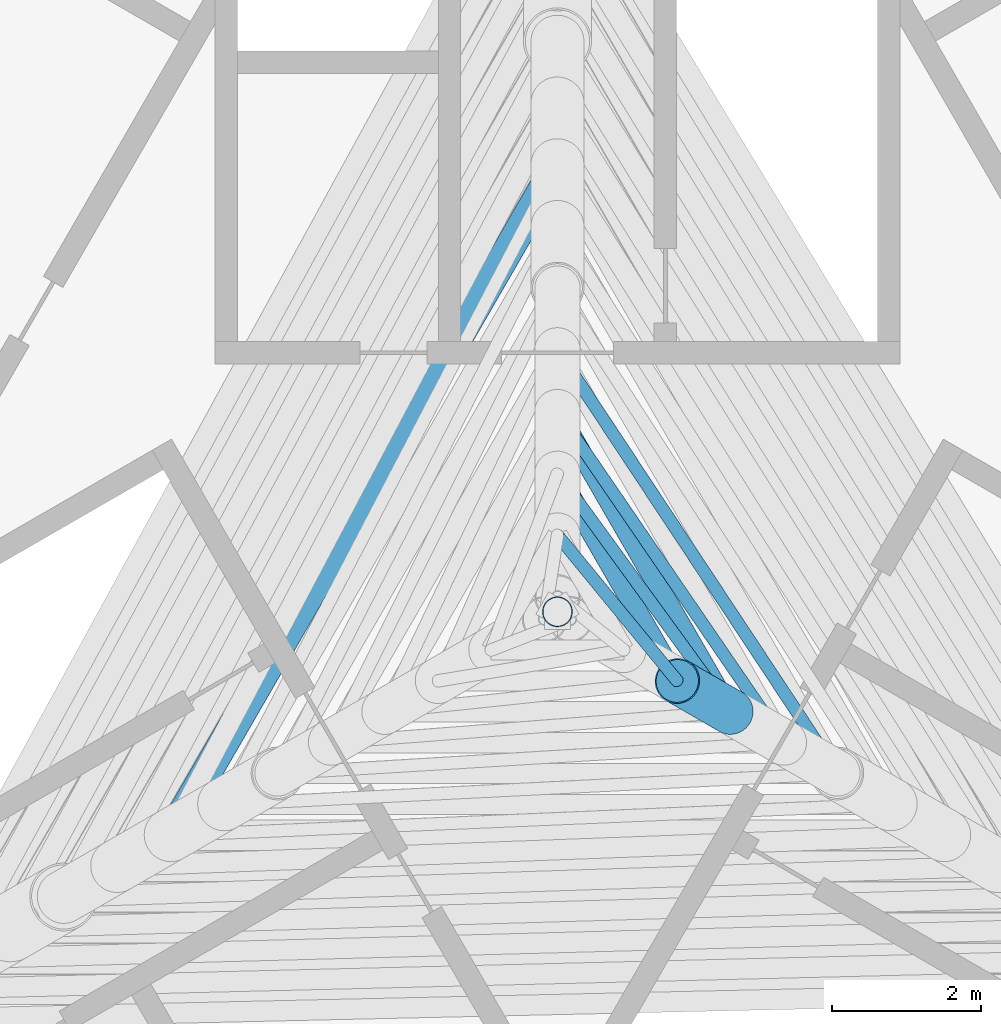
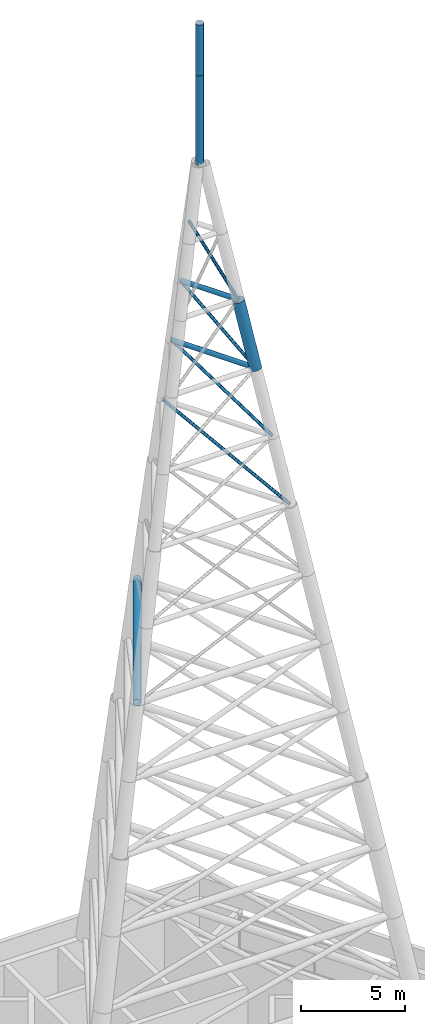
# One storey, part 3 of 10: 10 members.
"""IFC4 building model written with IfcOpenShell, lengths in metres."""

import ifcopenshell
import ifcopenshell.guid

model = None  # the IFC model being written
_history = None  # IfcOwnerHistory: only IFC2X3 demands one
_inside = {}  # id of a spatial element -> (the spatial element, [elements in it])
_under = {}  # id of a project, library or spatial element -> (it, [spatial elements below it])
_declared = {}  # id of a project -> (the project, [libraries it declares])
_typed = {}  # id of a type object -> (the type object, [elements of that type])
_made_of = {}  # id of a material, layer set ... -> (it, [elements and type objects made of it])


def new_model(schema):
    """Start an empty IFC model of exactly this schema.

    Asked for "IFC4X3", IfcOpenShell would pick the latest addendum, in which some entities
    have other attributes; the version numbers below select the first issue.
    IFC2X3 requires an IfcOwnerHistory on every rooted entity: one is made here for all.
    """
    global model, _history
    if schema == "IFC4X3":
        model = ifcopenshell.file(schema_version=(4, 3, 0, 0))
    else:
        model = ifcopenshell.file(schema=schema)
    _inside.clear()
    _under.clear()
    _declared.clear()
    _typed.clear()
    _made_of.clear()
    _history = None
    if model.schema == "IFC2X3":
        org = make("IfcOrganization", Name="unknown")
        user = make(
            "IfcPersonAndOrganization",
            ThePerson=make("IfcPerson", FamilyName="unknown"),
            TheOrganization=org,
        )
        app = make(
            "IfcApplication",
            ApplicationDeveloper=org,
            Version="unknown",
            ApplicationFullName="unknown",
            ApplicationIdentifier="unknown",
        )
        _history = make(
            "IfcOwnerHistory",
            OwningUser=user,
            OwningApplication=app,
            ChangeAction="ADDED",
            CreationDate=0,
        )
    return model


def make(cls, **values):
    """One entity of the class cls with the attributes given. An attribute that is None is left unset."""
    return model.create_entity(
        cls, **{name: value for name, value in values.items() if value is not None}
    )


def rooted(cls, **values):
    """An entity with a GlobalId (a new one), such as an element, a storey or a relation."""
    return make(cls, GlobalId=ifcopenshell.guid.new(), OwnerHistory=_history, **values)


def si_unit(unit_type, name, prefix=None):
    """IfcSIUnit, for example si_unit("LENGTHUNIT", "METRE", prefix="MILLI")."""
    return make("IfcSIUnit", UnitType=unit_type, Prefix=prefix, Name=name)


def assignment(units):
    """IfcUnitAssignment: the units of a project."""
    return None if units is None else make("IfcUnitAssignment", Units=units)


def point(xyz):
    """IfcCartesianPoint."""
    return None if xyz is None else make("IfcCartesianPoint", Coordinates=xyz)


def direction(xyz):
    """IfcDirection."""
    return None if xyz is None else make("IfcDirection", DirectionRatios=xyz)


def frame(location, z_axis=None, x_axis=None):
    """IfcAxis2Placement3D, a coordinate frame: its origin and axes. An axis left out is left unset."""
    return make(
        "IfcAxis2Placement3D",
        Location=point(location),
        Axis=direction(z_axis),
        RefDirection=direction(x_axis),
    )


def frame_2d(location, x_axis=None):
    """IfcAxis2Placement2D, a coordinate frame in the plane: its origin and x axis."""
    return make(
        "IfcAxis2Placement2D", Location=point(location), RefDirection=direction(x_axis)
    )


def origin():
    """The frame at (0, 0, 0) with its axes left unset."""
    return frame((0.0, 0.0, 0.0))


def origin_2d():
    """The frame at (0, 0) in the plane with its x axis left unset."""
    return frame_2d((0.0, 0.0))


def place(relative_to, where):
    """IfcLocalPlacement: puts the frame where relative to a parent placement (None: the world)."""
    return make(
        "IfcLocalPlacement", PlacementRelTo=relative_to, RelativePlacement=where
    )


def context(
    kind, dimensions, precision=None, world=None, true_north=None, identifier=None
):
    """IfcGeometricRepresentationContext, for example the 3D "Model" context."""
    return make(
        "IfcGeometricRepresentationContext",
        ContextIdentifier=identifier,
        ContextType=kind,
        CoordinateSpaceDimension=dimensions,
        Precision=precision,
        WorldCoordinateSystem=world,
        TrueNorth=true_north,
    )


def subcontext(parent, identifier, kind, view, scale=None):
    """IfcGeometricRepresentationSubContext, for example "Body" below "Model"."""
    return make(
        "IfcGeometricRepresentationSubContext",
        ContextIdentifier=identifier,
        ContextType=kind,
        ParentContext=parent,
        TargetScale=scale,
        TargetView=view,
    )


def project(units=None, contexts=None):
    """IfcProject with its units and contexts."""
    return rooted(
        "IfcProject",
        Name="project",
        RepresentationContexts=contexts,
        UnitsInContext=assignment(units),
    )


def spatial(cls, under=None, at=None, **own):
    """A site, building, storey or space (cls), placed at a placement, below another one or the project."""
    s = rooted(cls, ObjectPlacement=at, **own)
    if under is not None:
        _under.setdefault(under.id(), (under, []))[1].append(s)
    return s


def profile(cls, at=None, kind="AREA", **sizes):
    """A parametric profile (cls). Its sizes go by their IFC names, for example OverallWidth=200.0."""
    return make(cls, ProfileType=kind, Position=at, **sizes)


def hollow_circle(**sizes):
    """IfcCircleHollowProfileDef."""
    return profile("IfcCircleHollowProfileDef", **sizes)


def extrude(swept, where, along, depth):
    """IfcExtrudedAreaSolid: the profile swept, set in the frame where, extruded along a direction by depth."""
    return make(
        "IfcExtrudedAreaSolid",
        SweptArea=swept,
        Position=where,
        ExtrudedDirection=direction(along),
        Depth=depth,
    )


def shape(context_of_items, identifier, shape_type, items):
    """IfcShapeRepresentation: the items that make up one representation, for example the "Body"."""
    return make(
        "IfcShapeRepresentation",
        ContextOfItems=context_of_items,
        RepresentationIdentifier=identifier,
        RepresentationType=shape_type,
        Items=items,
    )


def material(Name=None, Category=None):
    """IfcMaterial."""
    return make("IfcMaterial", Name=Name, Category=Category)


def material_profile(
    of_material, cross_section, Name=None, Category=None, Priority=None
):
    """IfcMaterialProfile: a cross section and its material."""
    return make(
        "IfcMaterialProfile",
        Name=Name,
        Material=of_material,
        Profile=cross_section,
        Priority=Priority,
        Category=Category,
    )


def profile_set(profiles, Name=None, composite=None):
    """IfcMaterialProfileSet."""
    return make(
        "IfcMaterialProfileSet",
        Name=Name,
        MaterialProfiles=profiles,
        CompositeProfile=composite,
    )


def made_of(thing, what):
    """Note that an element or type object is made of a material, layer set ...; save() writes the relation."""
    if what is not None:
        _made_of.setdefault(what.id(), (what, []))[1].append(thing)
    return thing


def type_object(cls, material=None, **own):
    """A type object (cls), such as IfcWallType, which elements share."""
    return made_of(rooted(cls, **own), material)


def element(
    cls,
    number,
    at=None,
    inside=None,
    cuts=None,
    type_object=None,
    material=None,
    context=None,
    identifier="Body",
    shape_type=None,
    held_by="IfcProductDefinitionShape",
    body=None,
    shapes=None,
    **own,
):
    """One element of the class cls, such as IfcWall. Its Tag is "e" and its number.

    at: its placement. inside: the storey or other place that contains it. cuts: it is an
    opening in that element (IfcRelVoidsElement). A single representation is given by context,
    identifier, shape_type and body (its items); several are given by shapes. held_by: the class
    of the entity that holds the representations. save() writes the other relations.
    """
    e = rooted(cls, Tag="e%d" % number, ObjectPlacement=at, **own)
    if body is not None:
        shapes = [shape(context, identifier, shape_type, body)]
    if shapes is not None:
        e.Representation = make(held_by, Representations=shapes)
    if inside is not None:
        _inside.setdefault(inside.id(), (inside, []))[1].append(e)
    if cuts is not None:
        rooted(
            "IfcRelVoidsElement", RelatingBuildingElement=cuts, RelatedOpeningElement=e
        )
    if type_object is not None:
        _typed.setdefault(type_object.id(), (type_object, []))[1].append(e)
    return made_of(e, material)


def aggregate(whole, parts):
    """IfcRelAggregates: a whole, such as a stair, and the parts it consists of."""
    return rooted("IfcRelAggregates", RelatingObject=whole, RelatedObjects=parts)


def save(model, path):
    """Write the relations noted so far, then the file.

    IfcRelAggregates (storeys below a building ...), IfcRelContainedInSpatialStructure (elements
    in a storey), IfcRelDefinesByType, IfcRelAssociatesMaterial and IfcRelDeclares: one each for
    every whole, place, type object, material and project.
    """
    for whole, parts in _under.values():
        aggregate(whole, parts)
    for where, things in _inside.values():
        rooted(
            "IfcRelContainedInSpatialStructure",
            RelatedElements=things,
            RelatingStructure=where,
        )
    for kind, things in _typed.values():
        rooted("IfcRelDefinesByType", RelatedObjects=things, RelatingType=kind)
    for what, things in _made_of.values():
        rooted("IfcRelAssociatesMaterial", RelatedObjects=things, RelatingMaterial=what)
    for by, libraries in _declared.values():
        rooted("IfcRelDeclares", RelatingContext=by, RelatedDefinitions=libraries)
    model.write(path)


model = new_model("IFC4")

# Units and contexts
model_context = context("Model", 3, precision=1e-05, world=origin(), true_north=direction((0.0, 1.0)))
body_context = subcontext(model_context, "Body", "Model", "MODEL_VIEW")
ifc_project = project(units=[si_unit("LENGTHUNIT", "METRE"), si_unit("AREAUNIT", "SQUARE_METRE"), si_unit("VOLUMEUNIT", "CUBIC_METRE"), si_unit("PLANEANGLEUNIT", "RADIAN"), si_unit("MASSUNIT", "GRAM", prefix="KILO")], contexts=[model_context])

# Site, building, storey
site_placement = place(None, origin())
site = spatial("IfcSite", under=ifc_project, at=site_placement, CompositionType="ELEMENT")
building_placement = place(site_placement, origin())
building = spatial("IfcBuilding", under=site, at=building_placement, Name="Impinga Residences", CompositionType="ELEMENT")
storey_placement = place(building_placement, frame((0.0, 0.0, 301.75)))
storey = spatial("IfcBuildingStorey", under=building, at=storey_placement, Name="L75", CompositionType="ELEMENT", Elevation=301.75)

# Members
ifc_material = material(Name="Steel S355J2H", Category="steel")
ifc_material_profile_1 = material_profile(ifc_material, hollow_circle(Radius=0.304931640625, WallThickness=0.01611328125, at=origin_2d()), Name="CHS 610x16")
ifc_profile_set_1 = profile_set([ifc_material_profile_1], Name="Steel S355J2H")
member_type_1 = type_object("IfcMemberType", Name="SP3 SPIRE CHS 610x16", PredefinedType="MEMBER", material=ifc_profile_set_1)
member_1_placement = place(storey_placement, frame((2.327880859375, -1.343994140625, 46.0), z_axis=(-0.17582628445, 0.101479616246, 0.979176697631), x_axis=(-0.499875358948, -0.866097353371, 0.0)))
element("IfcMember", 1, at=member_1_placement, inside=storey, type_object=member_type_1, Name="SPIRE leg E panel 11", PredefinedType="MEMBER", context=body_context, shape_type="SweptSolid", body=[
    extrude(hollow_circle(Radius=0.304931640625, WallThickness=0.01611328125, at=origin_2d()), origin(), (0.0, 0.0, 1.0), 4.0849609375),
])
ifc_material_profile_2 = material_profile(ifc_material, hollow_circle(Radius=0.203125, WallThickness=0.012451171875, at=origin_2d()), Name="CHS 406.4x12.5")
ifc_profile_set_2 = profile_set([ifc_material_profile_2], Name="Steel S355J2H")
member_type_2 = type_object("IfcMemberType", Name="SP4 SPIRE CHS 406.4x12.5", PredefinedType="MEMBER", material=ifc_profile_set_2)
member_2_placement = place(storey_placement, frame((0.0, 6.00537109375, 30.0), z_axis=(-0.500008927004, -0.866020249715, 0.0), x_axis=(0.866020249715, -0.500008927004, 0.0)))
element("IfcMember", 2, at=member_2_placement, inside=storey, type_object=member_type_2, Name="SPIRE ring N-W panel 6", PredefinedType="MEMBER", context=body_context, shape_type="SweptSolid", body=[
    extrude(hollow_circle(Radius=0.203125, WallThickness=0.012451171875, at=origin_2d()), origin(), (0.0, 0.0, 1.0), 10.401611328125),
])
member_3_placement = place(storey_placement, frame((0.0, 0.0, 58.0), z_axis=(0.0, 0.0, 1.0), x_axis=(1.0, 0.0, 0.0)))
element("IfcMember", 3, at=member_3_placement, inside=storey, type_object=member_type_2, Name="SPIRE mast", PredefinedType="MEMBER", context=body_context, shape_type="SweptSolid", body=[
    extrude(hollow_circle(Radius=0.203125, WallThickness=0.012451171875, at=origin_2d()), origin(), (0.0, 0.0, 1.0), 5.25),
])
member_4_placement = place(storey_placement, frame((0.0, 0.0, 63.25), z_axis=(0.0, 0.0, 1.0), x_axis=(1.0, 0.0, 0.0)))
element("IfcMember", 4, at=member_4_placement, inside=storey, type_object=member_type_2, Name="SPIRE finial", PredefinedType="MEMBER", context=body_context, shape_type="SweptSolid", body=[
    extrude(hollow_circle(Radius=0.203125, WallThickness=0.012451171875, at=origin_2d()), origin(), (0.0, 0.0, 1.0), 2.97998046875),
])
ifc_material_profile_3 = material_profile(ifc_material, hollow_circle(Radius=0.136474609375, WallThickness=0.010009765625, at=origin_2d()), Name="CHS 273x10")
ifc_profile_set_3 = profile_set([ifc_material_profile_3], Name="Steel S355J2H")
member_type_3 = type_object("IfcMemberType", Name="SP5 SPIRE CHS 273x10", PredefinedType="BRACE", material=ifc_profile_set_3)
member_5_placement = place(storey_placement, frame((2.327880859375, -1.343994140625, 46.0), z_axis=(-0.500002371706, 0.866024034475, 0.0), x_axis=(-0.866024034475, -0.500002371706, 0.0)))
element("IfcMember", 5, at=member_5_placement, inside=storey, type_object=member_type_3, Name="SPIRE ring E-N panel 10", PredefinedType="BRACE", context=body_context, shape_type="SweptSolid", body=[
    extrude(hollow_circle(Radius=0.136474609375, WallThickness=0.010009765625, at=origin_2d()), origin(), (0.0, 0.0, 1.0), 4.65576171875),
])
member_6_placement = place(storey_placement, frame((1.609619140625, -0.929443359375, 50.0), z_axis=(-0.499980657714, 0.866036570771, 0.0), x_axis=(-0.866036570771, -0.499980657714, 0.0)))
element("IfcMember", 6, at=member_6_placement, inside=storey, type_object=member_type_3, Name="SPIRE ring E-N panel 11", PredefinedType="BRACE", context=body_context, shape_type="SweptSolid", body=[
    extrude(hollow_circle(Radius=0.136474609375, WallThickness=0.010009765625, at=origin_2d()), origin(), (0.0, 0.0, 1.0), 3.219482421875),
])
ifc_material_profile_4 = material_profile(ifc_material, hollow_circle(Radius=0.084228515625, WallThickness=0.008056640625, at=origin_2d()), Name="CHS 168.3x8")
ifc_profile_set_4 = profile_set([ifc_material_profile_4], Name="Steel S355J2H")
member_type_4 = type_object("IfcMemberType", Name="SP6 SPIRE CHS 168.3x8", PredefinedType="BRACE", material=ifc_profile_set_4)
member_7_placement = place(storey_placement, frame((3.764404296875, -2.17333984375, 38.0), z_axis=(-0.475956161109, 0.719505944567, 0.505743935638), x_axis=(-0.834032207094, -0.551715757913, 0.0)))
element("IfcMember", 7, at=member_7_placement, inside=storey, type_object=member_type_4, Name="SPIRE diagonal E-N panel 9", PredefinedType="BRACE", context=body_context, shape_type="SweptSolid", body=[
    extrude(hollow_circle(Radius=0.084228515625, WallThickness=0.008056640625, at=origin_2d()), origin(), (0.0, 0.0, 1.0), 7.9091796875),
])
member_8_placement = place(storey_placement, frame((3.046142578125, -1.7587890625, 42.0), z_axis=(-0.453825891169, 0.662497778452, 0.595935192828), x_axis=(-0.824994944568, -0.565140107795, 0.0)))
element("IfcMember", 8, at=member_8_placement, inside=storey, type_object=member_type_4, Name="SPIRE diagonal E-N panel 10", PredefinedType="BRACE", context=body_context, shape_type="SweptSolid", body=[
    extrude(hollow_circle(Radius=0.084228515625, WallThickness=0.008056640625, at=origin_2d()), origin(), (0.0, 0.0, 1.0), 6.712158203125),
])
member_9_placement = place(storey_placement, frame((2.327880859375, -1.343994140625, 46.0), z_axis=(-0.413614914631, 0.569040424765, 0.710714919907), x_axis=(-0.80889337899, -0.58795535666, 0.0)))
element("IfcMember", 9, at=member_9_placement, inside=storey, type_object=member_type_4, Name="SPIRE diagonal E-N panel 11", PredefinedType="BRACE", context=body_context, shape_type="SweptSolid", body=[
    extrude(hollow_circle(Radius=0.084228515625, WallThickness=0.008056640625, at=origin_2d()), origin(), (0.0, 0.0, 1.0), 5.628173828125),
])
member_10_placement = place(storey_placement, frame((1.609619140625, -0.929443359375, 50.0), z_axis=(-0.339885264194, 0.41360525931, 0.844635244739), x_axis=(-0.772599724144, -0.634893429052, 0.0)))
element("IfcMember", 10, at=member_10_placement, inside=storey, type_object=member_type_4, Name="SPIRE diagonal E-N panel 12", PredefinedType="BRACE", context=body_context, shape_type="SweptSolid", body=[
    extrude(hollow_circle(Radius=0.084228515625, WallThickness=0.008056640625, at=origin_2d()), origin(), (0.0, 0.0, 1.0), 4.73583984375),
])

save(model, "model.ifc")
